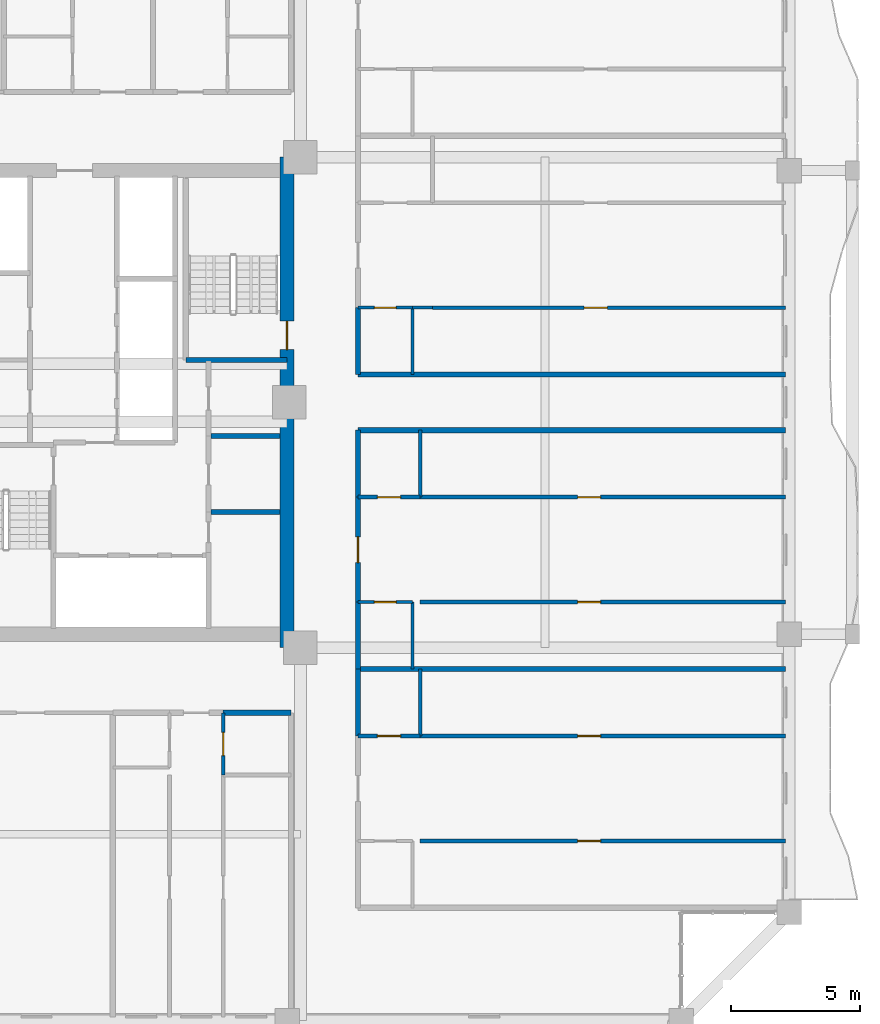
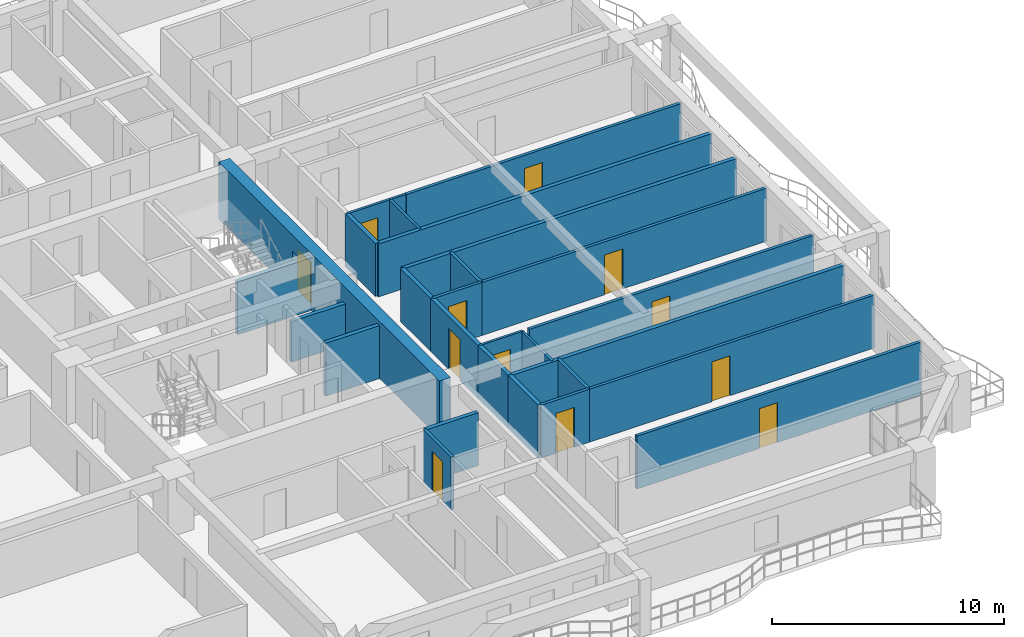
# One storey, part 16 of 24: 28 walls, 12 doors, 12 openings.
"""IFC4 building model written with IfcOpenShell, lengths in metres."""

from ifc_helpers import new_model, si_unit, direction, frame, frame_2d, origin, place, context, subcontext, project, spatial, rectangle, extrude, source, transform, mapped, material, layer, layer_set, type_object, element, fill, save


model = new_model("IFC4")

# Units and contexts
model_context = context("Model", 3, precision=1e-05, world=origin(), true_north=direction((0.0, 1.0)))
body_context = subcontext(model_context, "Body", "Model", "MODEL_VIEW")
ifc_project = project(units=[si_unit("LENGTHUNIT", "METRE"), si_unit("AREAUNIT", "SQUARE_METRE"), si_unit("VOLUMEUNIT", "CUBIC_METRE"), si_unit("PLANEANGLEUNIT", "RADIAN"), si_unit("MASSUNIT", "GRAM", prefix="KILO")], contexts=[model_context])

# Site, building, storey
site_placement = place(None, origin())
site = spatial("IfcSite", under=ifc_project, at=site_placement, CompositionType="ELEMENT")
building_placement = place(site_placement, origin())
building = spatial("IfcBuilding", under=site, at=building_placement, Name="Saelheon Loggia Tower", CompositionType="ELEMENT")
storey_placement = place(building_placement, frame((0.0, 0.0, 98.85009765625)))
storey = spatial("IfcBuildingStorey", under=building, at=storey_placement, Name="L31", CompositionType="ELEMENT", Elevation=98.85009765625)

# Wall, opening, door
ifc_material_1 = material(Name="Concrete C50/60", Category="concrete")
ifc_layer_1 = layer(ifc_material_1, 0.550048828125)
ifc_layer_set_1 = layer_set([ifc_layer_1], Name="Concrete C50/60")
wall_type_1 = type_object("IfcWallType", Name="Wall_CoreShear_550", PredefinedType="SHEAR", material=ifc_layer_set_1)
wall_1_placement = place(storey_placement, frame((44.5, 17.47998046875, 0.0), z_axis=(0.0, 0.0, 1.0), x_axis=(0.0, 1.0, 0.0)))
wall_1 = element("IfcWall", 1, at=wall_1_placement, inside=storey, type_object=wall_type_1, Name="L31 Core Shear Wall East", PredefinedType="SHEAR", context=body_context, shape_type="SweptSolid", body=[
    extrude(rectangle(XDim=19.0400390625, YDim=0.550048828125, at=frame_2d((9.52001953125, 0.0))), origin(), (0.0, 0.0, 1.0), 3.0),
])
opening_1_placement = place(wall_1_placement, frame((12.670166015625, 0.0, 0.0), z_axis=(0.0, 0.0, 1.0), x_axis=(-1.0, 0.0, 0.0)))
opening_1 = element("IfcOpeningElement", 2, at=opening_1_placement, cuts=wall_1, Name="Opening D-FD2", PredefinedType="OPENING", context=body_context, shape_type="SweptSolid", body=[
    extrude(rectangle(XDim=1.10009765625, YDim=2.14990234375, at=frame_2d((0.550048828125, 1.074951171875))), frame((0.0, 0.287109375, 0.0), z_axis=(0.0, -1.0, 0.0), x_axis=(1.0, 0.0, 0.0)), (0.0, 0.0, 1.0), 0.573974609375),
])
ifc_material_2 = material(Name="Galvanised Steel Fire Door", Category="steel")
door_type_1 = type_object("IfcDoorType", Name="Door_Fire_FD60_1100", OperationType="NOTDEFINED", PredefinedType="DOOR", material=ifc_material_2)
shared_shape_1 = source(origin(), body_context, "Body", "SweptSolid", [
    extrude(rectangle(XDim=1.10009765625, YDim=2.14990234375, at=frame_2d((0.550048828125, 1.074951171875))), frame((0.0, 0.02490234375, 0.0), z_axis=(0.0, -1.0, 0.0), x_axis=(1.0, 0.0, 0.0)), (0.0, 0.0, 1.0), 0.050048828125),
])
door_1_placement = place(opening_1_placement, origin())
door_1 = element("IfcDoor", 3, at=door_1_placement, inside=storey, type_object=door_type_1, Name="L31 Stair ST2 Corridor Door", OperationType="SINGLE_SWING_RIGHT", OverallHeight=2.14990234375, OverallWidth=1.10009765625, PredefinedType="DOOR", context=body_context, shape_type="MappedRepresentation", body=[
    mapped(shared_shape_1, transform((0.0, 0.0, 0.0), scale=1.0)),
])
fill(opening_1, door_1)

ifc_material_3 = material(Name="Lightweight Autoclaved Aerated Concrete Block and Acoustic Gypsum", Category="concrete")
ifc_layer_2 = layer(ifc_material_3, 0.14990234375)
ifc_layer_set_2 = layer_set([ifc_layer_2], Name="Lightweight Autoclaved Aerated Concrete Block and Acoustic Gypsum")
wall_type_2 = type_object("IfcWallType", Name="Wall_Part_150", PredefinedType="PARTITIONING", material=ifc_layer_set_2)
wall_2_placement = place(storey_placement, frame((42.02197265625, 14.949951171875, 0.0), z_axis=(0.0, 0.0, 1.0), x_axis=(0.0, -1.0, 0.0)))
wall_2 = element("IfcWall", 4, at=wall_2_placement, inside=storey, type_object=wall_type_2, Name="L31 S Partition U12", PredefinedType="PARTITIONING", context=body_context, shape_type="SweptSolid", body=[
    extrude(rectangle(XDim=2.419921875, YDim=0.14990234375, at=frame_2d((1.2099609375, 0.0))), origin(), (0.0, 0.0, 1.0), 2.789794921875),
])
opening_2_placement = place(wall_2_placement, frame((0.760009765625, 0.0, 0.0)))
opening_2 = element("IfcOpeningElement", 5, at=opening_2_placement, cuts=wall_2, Name="Opening D-IN2", PredefinedType="OPENING", context=body_context, shape_type="SweptSolid", body=[
    extrude(rectangle(XDim=0.89990234375, YDim=2.10009765625, at=frame_2d((0.449951171875, 1.050048828125))), frame((0.0, 0.0869140625, 0.0), z_axis=(0.0, -1.0, 0.0), x_axis=(1.0, 0.0, 0.0)), (0.0, 0.0, 1.0), 0.173828125),
])
ifc_material_4 = material(Name="Engineered Oak Flush Door", Category="timber")
door_type_2 = type_object("IfcDoorType", Name="Door_Int_900", OperationType="NOTDEFINED", PredefinedType="DOOR", material=ifc_material_4)
shared_shape_2 = source(origin(), body_context, "Body", "SweptSolid", [
    extrude(rectangle(XDim=0.89990234375, YDim=2.10009765625, at=frame_2d((0.449951171875, 1.050048828125))), frame((0.0, 0.02490234375, 0.0), z_axis=(0.0, -1.0, 0.0), x_axis=(1.0, 0.0, 0.0)), (0.0, 0.0, 1.0), 0.050048828125),
])
door_2_placement = place(opening_2_placement, origin())
door_2 = element("IfcDoor", 6, at=door_2_placement, inside=storey, type_object=door_type_2, Name="Unit U01 Dressing Closet Door", OperationType="SINGLE_SWING_LEFT", OverallHeight=2.10009765625, OverallWidth=0.89990234375, PredefinedType="DOOR", context=body_context, shape_type="MappedRepresentation", body=[
    mapped(shared_shape_2, transform((0.0, 0.0, 0.0), scale=1.0)),
])
fill(opening_2, door_2)

# Wall
wall_3_placement = place(storey_placement, frame((49.669921875, 14.050048828125, 0.0), z_axis=(0.0, 0.0, 1.0), x_axis=(0.0, 1.0, 0.0)))
element("IfcWall", 7, at=wall_3_placement, inside=storey, type_object=wall_type_2, Name="L31 ES Partition V07", PredefinedType="PARTITIONING", context=body_context, shape_type="SweptSolid", body=[
    extrude(rectangle(XDim=2.599853515625, YDim=0.14990234375, at=frame_2d((1.2998046875, 0.0))), origin(), (0.0, 0.0, 1.0), 2.789794921875),
])

# Wall, opening, door
wall_4_placement = place(storey_placement, frame((49.669921875, 9.9755859375, 0.0), z_axis=(0.0, 0.0, 1.0), x_axis=(1.0, 0.0, 0.0)))
wall_4 = element("IfcWall", 8, at=wall_4_placement, inside=storey, type_object=wall_type_2, Name="L31 ES Partition U09", PredefinedType="PARTITIONING", context=body_context, shape_type="SweptSolid", body=[
    extrude(rectangle(XDim=14.18017578125, YDim=0.14990234375, at=frame_2d((7.090087890625, 0.0))), origin(), (0.0, 0.0, 1.0), 2.789794921875),
])
opening_3_placement = place(wall_4_placement, frame((6.106689453125, 0.0, 0.0)))
opening_3 = element("IfcOpeningElement", 9, at=opening_3_placement, cuts=wall_4, Name="Opening D-IN2", PredefinedType="OPENING", context=body_context, shape_type="SweptSolid", body=[
    extrude(rectangle(XDim=0.89990234375, YDim=2.10009765625, at=frame_2d((0.449951171875, 1.050048828125))), frame((0.0, 0.0869140625, 0.0), z_axis=(0.0, -1.0, 0.0), x_axis=(1.0, 0.0, 0.0)), (0.0, 0.0, 1.0), 0.173828125),
])
door_3_placement = place(opening_3_placement, origin())
door_3 = element("IfcDoor", 10, at=door_3_placement, inside=storey, type_object=door_type_2, Name="Unit U04 Kitchen Door", OperationType="SINGLE_SWING_RIGHT", OverallHeight=2.10009765625, OverallWidth=0.89990234375, PredefinedType="DOOR", context=body_context, shape_type="MappedRepresentation", body=[
    mapped(shared_shape_2, transform((0.0, 0.0, 0.0), scale=1.0)),
])
fill(opening_3, door_3)

wall_5_placement = place(storey_placement, frame((47.25, 14.050048828125, 0.0), z_axis=(0.0, 0.0, 1.0), x_axis=(1.0, 0.0, 0.0)))
wall_5 = element("IfcWall", 11, at=wall_5_placement, inside=storey, type_object=wall_type_2, Name="L31 ES Partition U10", PredefinedType="PARTITIONING", context=body_context, shape_type="SweptSolid", body=[
    extrude(rectangle(XDim=2.419921875, YDim=0.14990234375, at=frame_2d((1.2099609375, 0.0))), origin(), (0.0, 0.0, 1.0), 2.789794921875),
])
opening_4_placement = place(wall_5_placement, frame((0.760009765625, 0.0, 0.0)))
opening_4 = element("IfcOpeningElement", 12, at=opening_4_placement, cuts=wall_5, Name="Opening D-IN2", PredefinedType="OPENING", context=body_context, shape_type="SweptSolid", body=[
    extrude(rectangle(XDim=0.89990234375, YDim=2.10009765625, at=frame_2d((0.449951171875, 1.050048828125))), frame((0.0, 0.0869140625, 0.0), z_axis=(0.0, -1.0, 0.0), x_axis=(1.0, 0.0, 0.0)), (0.0, 0.0, 1.0), 0.173828125),
])
door_4_placement = place(opening_4_placement, origin())
door_4 = element("IfcDoor", 13, at=door_4_placement, inside=storey, type_object=door_type_2, Name="Unit U04 Dressing Closet Door", OperationType="SINGLE_SWING_LEFT", OverallHeight=2.10009765625, OverallWidth=0.89990234375, PredefinedType="DOOR", context=body_context, shape_type="MappedRepresentation", body=[
    mapped(shared_shape_2, transform((0.0, 0.0, 0.0), scale=1.0)),
])
fill(opening_4, door_4)

wall_6_placement = place(storey_placement, frame((49.669921875, 14.050048828125, 0.0), z_axis=(0.0, 0.0, 1.0), x_axis=(1.0, 0.0, 0.0)))
wall_6 = element("IfcWall", 14, at=wall_6_placement, inside=storey, type_object=wall_type_2, Name="L31 ES Partition U11", PredefinedType="PARTITIONING", context=body_context, shape_type="SweptSolid", body=[
    extrude(rectangle(XDim=14.18017578125, YDim=0.14990234375, at=frame_2d((7.090087890625, 0.0))), origin(), (0.0, 0.0, 1.0), 2.789794921875),
])
opening_5_placement = place(wall_6_placement, frame((6.106689453125, 0.0, 0.0)))
opening_5 = element("IfcOpeningElement", 15, at=opening_5_placement, cuts=wall_6, Name="Opening D-IN2", PredefinedType="OPENING", context=body_context, shape_type="SweptSolid", body=[
    extrude(rectangle(XDim=0.89990234375, YDim=2.10009765625, at=frame_2d((0.449951171875, 1.050048828125))), frame((0.0, 0.0869140625, 0.0), z_axis=(0.0, -1.0, 0.0), x_axis=(1.0, 0.0, 0.0)), (0.0, 0.0, 1.0), 0.173828125),
])
door_5_placement = place(opening_5_placement, origin())
door_5 = element("IfcDoor", 16, at=door_5_placement, inside=storey, type_object=door_type_2, Name="Unit U04 Bedroom 1 Door", OperationType="SINGLE_SWING_RIGHT", OverallHeight=2.10009765625, OverallWidth=0.89990234375, PredefinedType="DOOR", context=body_context, shape_type="MappedRepresentation", body=[
    mapped(shared_shape_2, transform((0.0, 0.0, 0.0), scale=1.0)),
])
fill(opening_5, door_5)

# Wall
wall_7_placement = place(storey_placement, frame((49.669921875, 23.320068359375, 0.0), z_axis=(0.0, 0.0, 1.0), x_axis=(0.0, 1.0, 0.0)))
element("IfcWall", 17, at=wall_7_placement, inside=storey, type_object=wall_type_2, Name="L31 ES Partition V17", PredefinedType="PARTITIONING", context=body_context, shape_type="SweptSolid", body=[
    extrude(rectangle(XDim=2.599853515625, YDim=0.14990234375, at=frame_2d((1.2998046875, 0.0))), origin(), (0.0, 0.0, 1.0), 2.789794921875),
])

# Wall, opening, door
wall_8_placement = place(storey_placement, frame((49.669921875, 19.24560546875, 0.0), z_axis=(0.0, 0.0, 1.0), x_axis=(1.0, 0.0, 0.0)))
wall_8 = element("IfcWall", 18, at=wall_8_placement, inside=storey, type_object=wall_type_2, Name="L31 ES Partition U19", PredefinedType="PARTITIONING", context=body_context, shape_type="SweptSolid", body=[
    extrude(rectangle(XDim=14.18017578125, YDim=0.14990234375, at=frame_2d((7.090087890625, 0.0))), origin(), (0.0, 0.0, 1.0), 2.789794921875),
])
opening_6_placement = place(wall_8_placement, frame((6.106689453125, 0.0, 0.0)))
opening_6 = element("IfcOpeningElement", 19, at=opening_6_placement, cuts=wall_8, Name="Opening D-IN2", PredefinedType="OPENING", context=body_context, shape_type="SweptSolid", body=[
    extrude(rectangle(XDim=0.89990234375, YDim=2.10009765625, at=frame_2d((0.449951171875, 1.050048828125))), frame((0.0, 0.0869140625, 0.0), z_axis=(0.0, -1.0, 0.0), x_axis=(1.0, 0.0, 0.0)), (0.0, 0.0, 1.0), 0.173828125),
])
door_6_placement = place(opening_6_placement, origin())
door_6 = element("IfcDoor", 20, at=door_6_placement, inside=storey, type_object=door_type_2, Name="Unit U05 Kitchen Door", OperationType="SINGLE_SWING_LEFT", OverallHeight=2.10009765625, OverallWidth=0.89990234375, PredefinedType="DOOR", context=body_context, shape_type="MappedRepresentation", body=[
    mapped(shared_shape_2, transform((0.0, 0.0, 0.0), scale=1.0)),
])
fill(opening_6, door_6)

wall_9_placement = place(storey_placement, frame((47.25, 23.320068359375, 0.0), z_axis=(0.0, 0.0, 1.0), x_axis=(1.0, 0.0, 0.0)))
wall_9 = element("IfcWall", 21, at=wall_9_placement, inside=storey, type_object=wall_type_2, Name="L31 ES Partition U20", PredefinedType="PARTITIONING", context=body_context, shape_type="SweptSolid", body=[
    extrude(rectangle(XDim=2.419921875, YDim=0.14990234375, at=frame_2d((1.2099609375, 0.0))), origin(), (0.0, 0.0, 1.0), 2.789794921875),
])
opening_7_placement = place(wall_9_placement, frame((0.760009765625, 0.0, 0.0)))
opening_7 = element("IfcOpeningElement", 22, at=opening_7_placement, cuts=wall_9, Name="Opening D-IN2", PredefinedType="OPENING", context=body_context, shape_type="SweptSolid", body=[
    extrude(rectangle(XDim=0.89990234375, YDim=2.10009765625, at=frame_2d((0.449951171875, 1.050048828125))), frame((0.0, 0.0869140625, 0.0), z_axis=(0.0, -1.0, 0.0), x_axis=(1.0, 0.0, 0.0)), (0.0, 0.0, 1.0), 0.173828125),
])
door_7_placement = place(opening_7_placement, origin())
door_7 = element("IfcDoor", 23, at=door_7_placement, inside=storey, type_object=door_type_2, Name="Unit U05 Dressing Closet Door", OperationType="SINGLE_SWING_RIGHT", OverallHeight=2.10009765625, OverallWidth=0.89990234375, PredefinedType="DOOR", context=body_context, shape_type="MappedRepresentation", body=[
    mapped(shared_shape_2, transform((0.0, 0.0, 0.0), scale=1.0)),
])
fill(opening_7, door_7)

wall_10_placement = place(storey_placement, frame((49.669921875, 23.320068359375, 0.0), z_axis=(0.0, 0.0, 1.0), x_axis=(1.0, 0.0, 0.0)))
wall_10 = element("IfcWall", 24, at=wall_10_placement, inside=storey, type_object=wall_type_2, Name="L31 ES Partition U21", PredefinedType="PARTITIONING", context=body_context, shape_type="SweptSolid", body=[
    extrude(rectangle(XDim=14.18017578125, YDim=0.14990234375, at=frame_2d((7.090087890625, 0.0))), origin(), (0.0, 0.0, 1.0), 2.789794921875),
])
opening_8_placement = place(wall_10_placement, frame((6.106689453125, 0.0, 0.0)))
opening_8 = element("IfcOpeningElement", 25, at=opening_8_placement, cuts=wall_10, Name="Opening D-IN2", PredefinedType="OPENING", context=body_context, shape_type="SweptSolid", body=[
    extrude(rectangle(XDim=0.89990234375, YDim=2.10009765625, at=frame_2d((0.449951171875, 1.050048828125))), frame((0.0, 0.0869140625, 0.0), z_axis=(0.0, -1.0, 0.0), x_axis=(1.0, 0.0, 0.0)), (0.0, 0.0, 1.0), 0.173828125),
])
door_8_placement = place(opening_8_placement, origin())
door_8 = element("IfcDoor", 26, at=door_8_placement, inside=storey, type_object=door_type_2, Name="Unit U05 Bedroom 1 Door", OperationType="SINGLE_SWING_LEFT", OverallHeight=2.10009765625, OverallWidth=0.89990234375, PredefinedType="DOOR", context=body_context, shape_type="MappedRepresentation", body=[
    mapped(shared_shape_2, transform((0.0, 0.0, 0.0), scale=1.0)),
])
fill(opening_8, door_8)

wall_11_placement = place(storey_placement, frame((50.14990234375, 30.675537109375, 0.0), z_axis=(0.0, 0.0, 1.0), x_axis=(1.0, 0.0, 0.0)))
wall_11 = element("IfcWall", 27, at=wall_11_placement, inside=storey, type_object=wall_type_2, Name="L31 EN Partition U10", PredefinedType="PARTITIONING", context=body_context, shape_type="SweptSolid", body=[
    extrude(rectangle(XDim=13.7001953125, YDim=0.14990234375, at=frame_2d((6.85009765625, 0.0))), origin(), (0.0, 0.0, 1.0), 2.789794921875),
])
opening_9_placement = place(wall_11_placement, frame((5.88671875, 0.0, 0.0)))
opening_9 = element("IfcOpeningElement", 28, at=opening_9_placement, cuts=wall_11, Name="Opening D-IN2", PredefinedType="OPENING", context=body_context, shape_type="SweptSolid", body=[
    extrude(rectangle(XDim=0.89990234375, YDim=2.10009765625, at=frame_2d((0.449951171875, 1.050048828125))), frame((0.0, 0.0869140625, 0.0), z_axis=(0.0, -1.0, 0.0), x_axis=(1.0, 0.0, 0.0)), (0.0, 0.0, 1.0), 0.173828125),
])
door_9_placement = place(opening_9_placement, origin())
door_9 = element("IfcDoor", 29, at=door_9_placement, inside=storey, type_object=door_type_2, Name="Unit U06 Kitchen Door", OperationType="SINGLE_SWING_RIGHT", OverallHeight=2.10009765625, OverallWidth=0.89990234375, PredefinedType="DOOR", context=body_context, shape_type="MappedRepresentation", body=[
    mapped(shared_shape_2, transform((0.0, 0.0, 0.0), scale=1.0)),
])
fill(opening_9, door_9)

# Walls
ifc_material_5 = material(Name="Double Acoustic Stud and Fireboard Partition", Category="gypsum")
ifc_layer_3 = layer(ifc_material_5, 0.199951171875)
ifc_layer_set_3 = layer_set([ifc_layer_3], Name="Double Acoustic Stud and Fireboard Partition")
wall_type_3 = type_object("IfcWallType", Name="Wall_Party_200", PredefinedType="PARTITIONING", material=ifc_layer_set_3)
wall_12_placement = place(storey_placement, frame((42.02197265625, 14.949951171875, 0.0), z_axis=(0.0, 0.0, 1.0), x_axis=(1.0, 0.0, 0.0)))
element("IfcWall", 30, at=wall_12_placement, inside=storey, type_object=wall_type_3, Name="L31 S Partition V07", PredefinedType="PARTITIONING", context=body_context, shape_type="SweptSolid", body=[
    extrude(rectangle(XDim=2.6279296875, YDim=0.199951171875, at=frame_2d((1.31396484375, 0.0))), origin(), (0.0, 0.0, 1.0), 2.789794921875),
])
wall_13_placement = place(storey_placement, frame((47.25, 25.919921875, 0.0), z_axis=(0.0, 0.0, 1.0), x_axis=(1.0, 0.0, 0.0)))
element("IfcWall", 31, at=wall_13_placement, inside=storey, type_object=wall_type_3, Name="L31 ES Partition U02", PredefinedType="PARTITIONING", context=body_context, shape_type="SweptSolid", body=[
    extrude(rectangle(XDim=16.60009765625, YDim=0.199951171875, at=frame_2d((8.300048828125, 0.0))), origin(), (0.0, 0.0, 1.0), 2.789794921875),
])
wall_14_placement = place(storey_placement, frame((47.25, 14.050048828125, 0.0), z_axis=(0.0, 0.0, 1.0), x_axis=(0.0, 1.0, 0.0)))
element("IfcWall", 32, at=wall_14_placement, inside=storey, type_object=wall_type_3, Name="L31 ES Partition V05", PredefinedType="PARTITIONING", context=body_context, shape_type="SweptSolid", body=[
    extrude(rectangle(XDim=2.599853515625, YDim=0.199951171875, at=frame_2d((1.2998046875, 0.0))), origin(), (0.0, 0.0, 1.0), 2.789794921875),
])
wall_15_placement = place(storey_placement, frame((47.25, 16.64990234375, 0.0), z_axis=(0.0, 0.0, 1.0), x_axis=(1.0, 0.0, 0.0)))
element("IfcWall", 33, at=wall_15_placement, inside=storey, type_object=wall_type_3, Name="L31 ES Partition U12", PredefinedType="PARTITIONING", context=body_context, shape_type="SweptSolid", body=[
    extrude(rectangle(XDim=16.60009765625, YDim=0.199951171875, at=frame_2d((8.300048828125, 0.0))), origin(), (0.0, 0.0, 1.0), 2.789794921875),
])
wall_16_placement = place(storey_placement, frame((47.25, 16.64990234375, 0.0), z_axis=(0.0, 0.0, 1.0), x_axis=(0.0, 1.0, 0.0)))
element("IfcWall", 34, at=wall_16_placement, inside=storey, type_object=wall_type_3, Name="L31 ES Partition V13", PredefinedType="PARTITIONING", context=body_context, shape_type="SweptSolid", body=[
    extrude(rectangle(XDim=2.595703125, YDim=0.199951171875, at=frame_2d((1.2978515625, 0.0))), origin(), (0.0, 0.0, 1.0), 2.789794921875),
])

# Wall, opening, door
wall_17_placement = place(storey_placement, frame((47.25, 19.24560546875, 0.0), z_axis=(0.0, 0.0, 1.0), x_axis=(0.0, 1.0, 0.0)))
wall_17 = element("IfcWall", 35, at=wall_17_placement, inside=storey, type_object=wall_type_3, Name="L31 ES Partition V14", PredefinedType="PARTITIONING", context=body_context, shape_type="SweptSolid", body=[
    extrude(rectangle(XDim=4.074462890625, YDim=0.199951171875, at=frame_2d((2.037109375, 0.0))), origin(), (0.0, 0.0, 1.0), 2.789794921875),
])
opening_10_placement = place(wall_17_placement, frame((1.537109375, 0.0, 0.0)))
opening_10 = element("IfcOpeningElement", 36, at=opening_10_placement, cuts=wall_17, Name="Opening D-FD1", PredefinedType="OPENING", context=body_context, shape_type="SweptSolid", body=[
    extrude(rectangle(XDim=1.0, YDim=2.14990234375, at=frame_2d((0.5, 1.074951171875))), frame((0.0, 0.112060546875, 0.0), z_axis=(0.0, -1.0, 0.0), x_axis=(1.0, 0.0, 0.0)), (0.0, 0.0, 1.0), 0.223876953125),
])
ifc_material_6 = material(Name="Fire-Rated Engineered Timber Entrance Door", Category="wood")
door_type_3 = type_object("IfcDoorType", Name="Door_Flat_FD30S", OperationType="NOTDEFINED", PredefinedType="DOOR", material=ifc_material_6)
shared_shape_3 = source(origin(), body_context, "Body", "SweptSolid", [
    extrude(rectangle(XDim=1.0, YDim=2.14990234375, at=frame_2d((0.5, 1.074951171875))), frame((0.0, 0.02490234375, 0.0), z_axis=(0.0, -1.0, 0.0), x_axis=(1.0, 0.0, 0.0)), (0.0, 0.0, 1.0), 0.050048828125),
])
door_10_placement = place(opening_10_placement, origin())
door_10 = element("IfcDoor", 37, at=door_10_placement, inside=storey, type_object=door_type_3, Name="Unit U05 Entrance Door", OperationType="SINGLE_SWING_LEFT", OverallHeight=2.14990234375, OverallWidth=1.0, PredefinedType="DOOR", context=body_context, shape_type="MappedRepresentation", body=[
    mapped(shared_shape_3, transform((0.0, 0.0, 0.0), scale=1.0)),
])
fill(opening_10, door_10)

# Walls
wall_18_placement = place(storey_placement, frame((47.25, 23.320068359375, 0.0), z_axis=(0.0, 0.0, 1.0), x_axis=(0.0, 1.0, 0.0)))
element("IfcWall", 38, at=wall_18_placement, inside=storey, type_object=wall_type_3, Name="L31 ES Partition V15", PredefinedType="PARTITIONING", context=body_context, shape_type="SweptSolid", body=[
    extrude(rectangle(XDim=2.599853515625, YDim=0.199951171875, at=frame_2d((1.2998046875, 0.0))), origin(), (0.0, 0.0, 1.0), 2.789794921875),
])
wall_19_placement = place(storey_placement, frame((47.25, 28.080078125, 0.0), z_axis=(0.0, 0.0, 1.0), x_axis=(1.0, 0.0, 0.0)))
element("IfcWall", 39, at=wall_19_placement, inside=storey, type_object=wall_type_3, Name="L31 EN Partition U01", PredefinedType="PARTITIONING", context=body_context, shape_type="SweptSolid", body=[
    extrude(rectangle(XDim=16.60009765625, YDim=0.199951171875, at=frame_2d((8.300048828125, 0.0))), origin(), (0.0, 0.0, 1.0), 2.789794921875),
])
wall_20_placement = place(storey_placement, frame((47.25, 28.080078125, 0.0), z_axis=(0.0, 0.0, 1.0), x_axis=(0.0, 1.0, 0.0)))
element("IfcWall", 40, at=wall_20_placement, inside=storey, type_object=wall_type_3, Name="L31 EN Partition V03", PredefinedType="PARTITIONING", context=body_context, shape_type="SweptSolid", body=[
    extrude(rectangle(XDim=2.595458984375, YDim=0.199951171875, at=frame_2d((1.2978515625, 0.0))), origin(), (0.0, 0.0, 1.0), 2.789794921875),
])
ifc_material_7 = material(Name="Concrete C40/50", Category="concrete")
ifc_layer_4 = layer(ifc_material_7, 0.199951171875)
ifc_layer_set_4 = layer_set([ifc_layer_4], Name="Concrete C40/50")
wall_type_4 = type_object("IfcWallType", Name="Wall_Shaft_200", PredefinedType="PARTITIONING", material=ifc_layer_set_4)
wall_21_placement = place(storey_placement, frame((41.550048828125, 22.75, 0.0), z_axis=(0.0, 0.0, 1.0), x_axis=(1.0, 0.0, 0.0)))
element("IfcWall", 41, at=wall_21_placement, inside=storey, type_object=wall_type_4, Name="CW-BOH-L31-H1", PredefinedType="PARTITIONING", context=body_context, shape_type="SweptSolid", body=[
    extrude(rectangle(XDim=2.669921875, YDim=0.199951171875, at=frame_2d((1.3349609375, 0.0))), origin(), (0.0, 0.0, 1.0), 2.789794921875),
])
wall_22_placement = place(storey_placement, frame((41.550048828125, 25.699951171875, 0.0), z_axis=(0.0, 0.0, 1.0), x_axis=(1.0, 0.0, 0.0)))
element("IfcWall", 42, at=wall_22_placement, inside=storey, type_object=wall_type_4, Name="CW-BOH-L31-H2", PredefinedType="PARTITIONING", context=body_context, shape_type="SweptSolid", body=[
    extrude(rectangle(XDim=2.669921875, YDim=0.199951171875, at=frame_2d((1.3349609375, 0.0))), origin(), (0.0, 0.0, 1.0), 2.139892578125),
])
ifc_material_8 = material(Name="Concrete C45/55", Category="concrete")
ifc_layer_5 = layer(ifc_material_8, 0.199951171875)
ifc_layer_set_5 = layer_set([ifc_layer_5], Name="Concrete C45/55")
wall_type_5 = type_object("IfcWallType", Name="Wall_StairShaft_RC200", PredefinedType="SOLIDWALL", material=ifc_layer_set_5)
wall_23_placement = place(storey_placement, frame((40.570068359375, 28.64990234375, 0.0), z_axis=(0.0, 0.0, 1.0), x_axis=(1.0, 0.0, 0.0)))
element("IfcWall", 43, at=wall_23_placement, inside=storey, type_object=wall_type_5, Name="L31 Stair ST2 South Wall", PredefinedType="SOLIDWALL", context=body_context, shape_type="SweptSolid", body=[
    extrude(rectangle(XDim=3.929931640625, YDim=0.199951171875, at=frame_2d((1.96484375, 0.0))), origin(), (0.0, 0.0, 1.0), 2.789794921875),
])
ifc_material_9 = material(Name="Moisture-Resistant Cement Board Partition", Category="gypsum")
ifc_layer_6 = layer(ifc_material_9, 0.1201171875)
ifc_layer_set_6 = layer_set([ifc_layer_6], Name="Moisture-Resistant Cement Board Partition")
wall_type_6 = type_object("IfcWallType", Name="Wall_WetPart_120", PredefinedType="PARTITIONING", material=ifc_layer_set_6)
wall_24_placement = place(storey_placement, frame((49.3701171875, 16.64990234375, 0.0), z_axis=(0.0, 0.0, 1.0), x_axis=(0.0, 1.0, 0.0)))
element("IfcWall", 44, at=wall_24_placement, inside=storey, type_object=wall_type_6, Name="L31 ES Partition V16", PredefinedType="PARTITIONING", context=body_context, shape_type="SweptSolid", body=[
    extrude(rectangle(XDim=2.595703125, YDim=0.1201171875, at=frame_2d((1.2978515625, 0.0))), origin(), (0.0, 0.0, 1.0), 2.789794921875),
])

# Wall, opening, door
wall_25_placement = place(storey_placement, frame((47.25, 19.24560546875, 0.0), z_axis=(0.0, 0.0, 1.0), x_axis=(1.0, 0.0, 0.0)))
wall_25 = element("IfcWall", 45, at=wall_25_placement, inside=storey, type_object=wall_type_6, Name="L31 ES Partition U18", PredefinedType="PARTITIONING", context=body_context, shape_type="SweptSolid", body=[
    extrude(rectangle(XDim=2.1201171875, YDim=0.1201171875, at=frame_2d((1.06005859375, 0.0))), origin(), (0.0, 0.0, 1.0), 2.789794921875),
])
opening_11_placement = place(wall_25_placement, frame((0.635009765625, 0.0, 0.0)))
opening_11 = element("IfcOpeningElement", 46, at=opening_11_placement, cuts=wall_25, Name="Opening D-BT1", PredefinedType="OPENING", context=body_context, shape_type="SweptSolid", body=[
    extrude(rectangle(XDim=0.85009765625, YDim=2.050048828125, at=frame_2d((0.425048828125, 1.02490234375))), frame((0.0, 0.072021484375, 0.0), z_axis=(0.0, -1.0, 0.0), x_axis=(1.0, 0.0, 0.0)), (0.0, 0.0, 1.0), 0.14404296875),
])
ifc_material_10 = material(Name="Moisture-Resistant Laminate Timber Door", Category="wood")
door_type_4 = type_object("IfcDoorType", Name="Door_Bath_850", OperationType="NOTDEFINED", PredefinedType="DOOR", material=ifc_material_10)
shared_shape_4 = source(origin(), body_context, "Body", "SweptSolid", [
    extrude(rectangle(XDim=0.85009765625, YDim=2.050048828125, at=frame_2d((0.425048828125, 1.02490234375))), frame((0.0, 0.02490234375, 0.0), z_axis=(0.0, -1.0, 0.0), x_axis=(1.0, 0.0, 0.0)), (0.0, 0.0, 1.0), 0.050048828125),
])
door_11_placement = place(opening_11_placement, origin())
door_11 = element("IfcDoor", 47, at=door_11_placement, inside=storey, type_object=door_type_4, Name="Unit U05 Bathroom Door", OperationType="SINGLE_SWING_RIGHT", OverallHeight=2.050048828125, OverallWidth=0.85009765625, PredefinedType="DOOR", context=body_context, shape_type="MappedRepresentation", body=[
    mapped(shared_shape_4, transform((0.0, 0.0, 0.0), scale=1.0)),
])
fill(opening_11, door_11)

# Wall
wall_26_placement = place(storey_placement, frame((49.3701171875, 28.080078125, 0.0), z_axis=(0.0, 0.0, 1.0), x_axis=(0.0, 1.0, 0.0)))
element("IfcWall", 48, at=wall_26_placement, inside=storey, type_object=wall_type_6, Name="L31 EN Partition V06", PredefinedType="PARTITIONING", context=body_context, shape_type="SweptSolid", body=[
    extrude(rectangle(XDim=2.595458984375, YDim=0.1201171875, at=frame_2d((1.2978515625, 0.0))), origin(), (0.0, 0.0, 1.0), 2.789794921875),
])

# Wall, opening, door
wall_27_placement = place(storey_placement, frame((47.25, 30.675537109375, 0.0), z_axis=(0.0, 0.0, 1.0), x_axis=(1.0, 0.0, 0.0)))
wall_27 = element("IfcWall", 49, at=wall_27_placement, inside=storey, type_object=wall_type_6, Name="L31 EN Partition U08", PredefinedType="PARTITIONING", context=body_context, shape_type="SweptSolid", body=[
    extrude(rectangle(XDim=2.1201171875, YDim=0.1201171875, at=frame_2d((1.06005859375, 0.0))), origin(), (0.0, 0.0, 1.0), 2.789794921875),
])
opening_12_placement = place(wall_27_placement, frame((0.635009765625, 0.0, 0.0)))
opening_12 = element("IfcOpeningElement", 50, at=opening_12_placement, cuts=wall_27, Name="Opening D-BT1", PredefinedType="OPENING", context=body_context, shape_type="SweptSolid", body=[
    extrude(rectangle(XDim=0.85009765625, YDim=2.050048828125, at=frame_2d((0.425048828125, 1.02490234375))), frame((0.0, 0.072021484375, 0.0), z_axis=(0.0, -1.0, 0.0), x_axis=(1.0, 0.0, 0.0)), (0.0, 0.0, 1.0), 0.14404296875),
])
door_12_placement = place(opening_12_placement, origin())
door_12 = element("IfcDoor", 51, at=door_12_placement, inside=storey, type_object=door_type_4, Name="Unit U06 Bathroom Door", OperationType="SINGLE_SWING_LEFT", OverallHeight=2.050048828125, OverallWidth=0.85009765625, PredefinedType="DOOR", context=body_context, shape_type="MappedRepresentation", body=[
    mapped(shared_shape_4, transform((0.0, 0.0, 0.0), scale=1.0)),
])
fill(opening_12, door_12)

# Wall
wall_28_placement = place(storey_placement, frame((49.3701171875, 30.675537109375, 0.0), z_axis=(0.0, 0.0, 1.0), x_axis=(1.0, 0.0, 0.0)))
element("IfcWall", 52, at=wall_28_placement, inside=storey, type_object=wall_type_6, Name="L31 EN Partition U09", PredefinedType="PARTITIONING", context=body_context, shape_type="SweptSolid", body=[
    extrude(rectangle(XDim=0.77978515625, YDim=0.1201171875, at=frame_2d((0.389892578125, 0.0))), origin(), (0.0, 0.0, 1.0), 2.789794921875),
])

save(model, "model.ifc")
